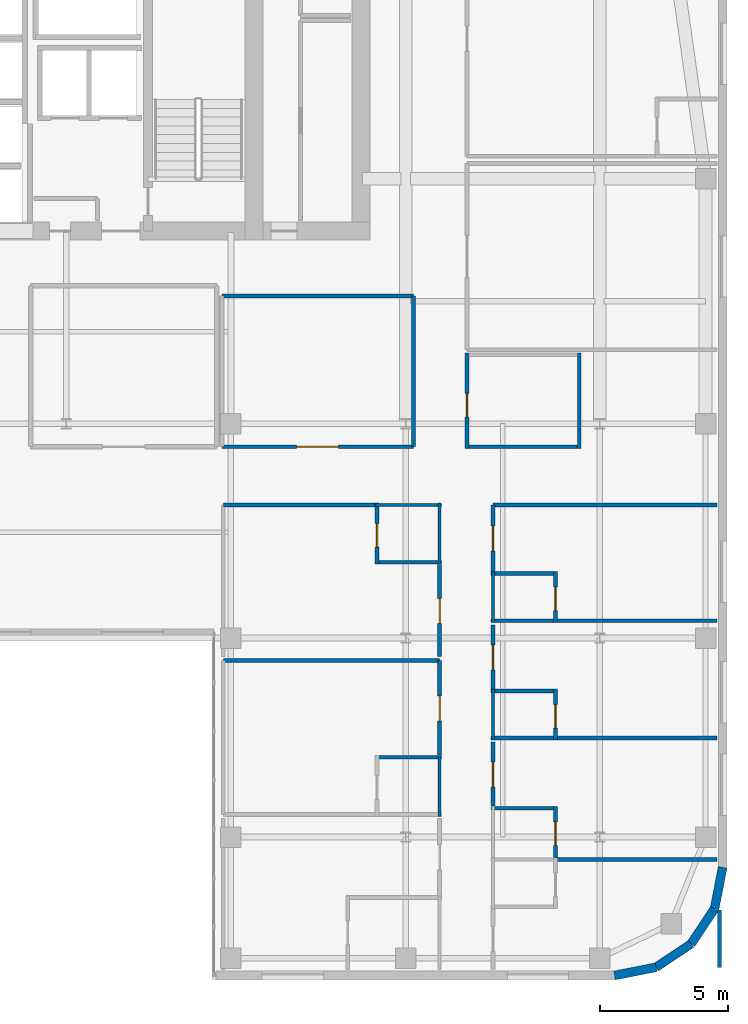
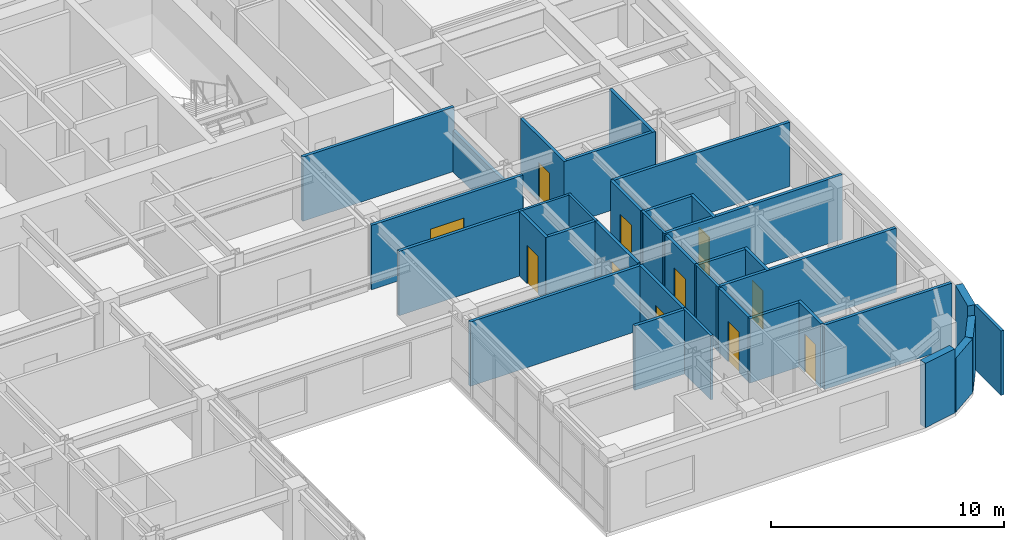
# One storey, part 20 of 24: 36 walls, 11 doors, 11 openings.
"""IFC4 building model written with IfcOpenShell, lengths in metres."""

from ifc_helpers import new_model, si_unit, direction, frame, frame_2d, origin, place, context, subcontext, project, spatial, rectangle, extrude, source, transform, mapped, material, layer, layer_set, type_object, type_shapes, element, fill, save


model = new_model("IFC4")

# Units and contexts
model_context = context("Model", 3, precision=1e-05, world=origin(), true_north=direction((0.0, 1.0)))
body_context = subcontext(model_context, "Body", "Model", "MODEL_VIEW")
ifc_project = project(units=[si_unit("LENGTHUNIT", "METRE"), si_unit("AREAUNIT", "SQUARE_METRE"), si_unit("VOLUMEUNIT", "CUBIC_METRE"), si_unit("PLANEANGLEUNIT", "RADIAN"), si_unit("MASSUNIT", "GRAM", prefix="KILO")], contexts=[model_context])

# Site, building, storey
site_placement = place(None, origin())
site = spatial("IfcSite", under=ifc_project, at=site_placement, CompositionType="ELEMENT")
building_placement = place(site_placement, origin())
building = spatial("IfcBuilding", under=site, at=building_placement, Name="Tolvann Quenvar Hotel", CompositionType="ELEMENT")
storey_placement = place(building_placement, frame((0.0, 0.0, 157.699951171875)))
storey = spatial("IfcBuildingStorey", under=building, at=storey_placement, Name="L41", CompositionType="ELEMENT", Elevation=157.699951171875)

# Walls
ifc_material_1 = material(Name="Kiln-fired red and buff architectural clay brickwork and terracotta masonry", Category="masonry")
ifc_layer_1 = layer(ifc_material_1, 0.35009765625)
ifc_layer_set_1 = layer_set([ifc_layer_1], Name="Kiln-fired red and buff architectural clay brickwork and terracotta masonry")
wall_type_1 = type_object("IfcWallType", Name="WALL_EXT_BRICK_350", PredefinedType="SOLIDWALL", material=ifc_layer_set_1)
wall_1_placement = place(storey_placement, frame((49.98291015625, 2.77490234375, 0.0), z_axis=(0.0, 0.0, 1.0), x_axis=(0.980788844421, 0.195072403631, 0.0)))
element("IfcWall", 1, at=wall_1_placement, inside=storey, type_object=wall_type_1, Name="Exterior Chicago Brick Wall L41-E09", PredefinedType="SOLIDWALL", context=body_context, shape_type="SweptSolid", body=[
    extrude(rectangle(XDim=1.66455078125, YDim=0.35009765625, at=frame_2d((0.832275390625, 0.0))), origin(), (0.0, 0.0, 1.0), 3.3701171875),
])
for number, where, z_axis, x_axis, name in (
    (2, (51.615478515625, 3.099609375, 0.0), (0.0, 0.0, 1.0), (0.831434158098, 0.555623290322, 0.0), "Exterior Chicago Brick Wall L41-E10"),
    (3, (52.985107421875, 4.014892578125, 0.0), (0.0, 0.0, 1.0), (0.555623290322, 0.831434158098, 0.0), "Exterior Chicago Brick Wall L41-E11"),
):
    element("IfcWall", number, at=place(storey_placement, frame(where, z_axis=z_axis, x_axis=x_axis)), inside=storey, type_object=wall_type_1, Name=name, PredefinedType="SOLIDWALL", context=body_context, shape_type="SweptSolid", body=[
        extrude(rectangle(XDim=1.647216796875, YDim=0.35009765625, at=frame_2d((0.82373046875, 0.0))), origin(), (0.0, 0.0, 1.0), 2.83203125),
    ])
wall_2_placement = place(storey_placement, frame((53.900390625, 5.384521484375, 0.0), z_axis=(0.0, 0.0, 1.0), x_axis=(0.195072403631, 0.980788844421, 0.0)))
element("IfcWall", 4, at=wall_2_placement, inside=storey, type_object=wall_type_1, Name="Exterior Chicago Brick Wall L41-E12", PredefinedType="SOLIDWALL", context=body_context, shape_type="SweptSolid", body=[
    extrude(rectangle(XDim=1.66455078125, YDim=0.35009765625, at=frame_2d((0.832275390625, 0.0))), origin(), (0.0, 0.0, 1.0), 3.3701171875),
])
ifc_material_2 = material(Name="Moisture-resistant acoustic plumbing wall assembly")
ifc_layer_2 = layer(ifc_material_2, 0.1201171875)
ifc_layer_set_2 = layer_set([ifc_layer_2], Name="Moisture-resistant acoustic plumbing wall assembly")
wall_type_2 = type_object("IfcWallType", Name="WALL_PART_BATH_120", PredefinedType="PLUMBINGWALL", material=ifc_layer_set_2)
wall_3_placement = place(storey_placement, frame((43.1298828125, 9.010009765625, 0.0), z_axis=(0.0, 0.0, 1.0), x_axis=(0.0, 1.0, 0.0)))
element("IfcWall", 5, at=wall_3_placement, inside=storey, type_object=wall_type_2, Name="Non-Rated Plumbing Partition PT-SPC-L41-ENS-EI02-E", PredefinedType="PLUMBINGWALL", context=body_context, shape_type="SweptSolid", body=[
    extrude(rectangle(XDim=2.389892578125, YDim=0.1201171875, at=frame_2d((1.19482421875, 0.0))), origin(), (0.0, 0.0, 1.0), 3.3701171875),
])
wall_4_placement = place(storey_placement, frame((40.610107421875, 21.219970703125, 0.0), z_axis=(0.0, 0.0, 1.0), x_axis=(1.0, 0.0, 0.0)))
element("IfcWall", 6, at=wall_4_placement, inside=storey, type_object=wall_type_2, Name="Non-Rated Plumbing Partition PT-SPC-L41-ENS-EI03-N", PredefinedType="PLUMBINGWALL", context=body_context, shape_type="SweptSolid", body=[
    extrude(rectangle(XDim=2.58984375, YDim=0.1201171875, at=frame_2d((1.294921875, 0.0))), origin(), (0.0, 0.0, 1.0), 3.3701171875),
])
wall_5_placement = place(storey_placement, frame((43.1298828125, 18.89990234375, 0.0), z_axis=(0.0, 0.0, 1.0), x_axis=(0.0, 1.0, 0.0)))
element("IfcWall", 7, at=wall_5_placement, inside=storey, type_object=wall_type_2, Name="Non-Rated Plumbing Partition PT-SPC-L41-ENS-EI03-E", PredefinedType="PLUMBINGWALL", context=body_context, shape_type="SweptSolid", body=[
    extrude(rectangle(XDim=2.39013671875, YDim=0.1201171875, at=frame_2d((1.195068359375, 0.0))), origin(), (0.0, 0.0, 1.0), 3.3701171875),
])
for number, where, z_axis, x_axis, name in (
    (8, (45.219970703125, 12.010009765625, 0.0), (0.0, 0.0, 1.0), (0.0, 1.0, 0.0), "Non-Rated Plumbing Partition PT-SPC-L41-ENS-EO03-W"),
    (9, (45.219970703125, 16.610107421875, 0.0), (0.0, 0.0, 1.0), (0.0, 1.0, 0.0), "Non-Rated Plumbing Partition PT-SPC-L41-ENS-EO04-W"),
):
    element("IfcWall", number, at=place(storey_placement, frame(where, z_axis=z_axis, x_axis=x_axis)), inside=storey, type_object=wall_type_2, Name=name, PredefinedType="PLUMBINGWALL", context=body_context, shape_type="SweptSolid", body=[
        extrude(rectangle(XDim=1.989990234375, YDim=0.1201171875, at=frame_2d((0.9951171875, 0.0))), origin(), (0.0, 0.0, 1.0), 3.3701171875),
    ])
ifc_material_3 = material(Name="Acoustic twin-stud fire-rated gypsum plasterboard partition")
ifc_layer_3 = layer(ifc_material_3, 0.14990234375)
ifc_layer_set_3 = layer_set([ifc_layer_3], Name="Acoustic twin-stud fire-rated gypsum plasterboard partition")
wall_type_3 = type_object("IfcWallType", Name="WALL_PART_SUITE_150", PredefinedType="PARTITIONING", material=ifc_layer_set_3)
wall_6_placement = place(storey_placement, frame((40.610107421875, 11.330078125, 0.0), z_axis=(0.0, 0.0, 1.0), x_axis=(1.0, 0.0, 0.0)))
element("IfcWall", 10, at=wall_6_placement, inside=storey, type_object=wall_type_3, Name="Interior Partition PT-SPC-L41-ENS-EI02-N", PredefinedType="PARTITIONING", context=body_context, shape_type="SweptSolid", body=[
    extrude(rectangle(XDim=2.58984375, YDim=0.14990234375, at=frame_2d((1.294921875, 0.0))), origin(), (0.0, 0.0, 1.0), 3.3701171875),
])

# Wall, opening, door
wall_7_placement = place(storey_placement, frame((40.679931640625, 18.89990234375, 0.0), z_axis=(0.0, 0.0, 1.0), x_axis=(0.0, 1.0, 0.0)))
wall_7 = element("IfcWall", 11, at=wall_7_placement, inside=storey, type_object=wall_type_3, Name="Interior Partition PT-SPC-L41-ENS-EI03-ENT", PredefinedType="PARTITIONING", context=body_context, shape_type="SweptSolid", body=[
    extrude(rectangle(XDim=2.39013671875, YDim=0.14990234375, at=frame_2d((1.195068359375, 0.0))), origin(), (0.0, 0.0, 1.0), 3.3701171875),
])
opening_1_placement = place(wall_7_placement, frame((0.6650390625, 0.0, 0.0)))
opening_1 = element("IfcOpeningElement", 12, at=opening_1_placement, cuts=wall_7, Name="Opening WD-01", PredefinedType="OPENING", context=body_context, shape_type="SweptSolid", body=[
    extrude(rectangle(XDim=0.919921875, YDim=2.010009765625, at=frame_2d((0.4599609375, 1.0048828125))), frame((0.0, 0.0849609375, 0.0), z_axis=(0.0, -1.0, 0.0), x_axis=(1.0, 0.0, 0.0)), (0.0, 0.0, 1.0), 0.169921875),
])
ifc_material_4 = material(Name="Solid-core American oak acoustic fire door leaf in steel frame", Category="steel")
door_type_1 = type_object("IfcDoorType", Name="DOOR_WC_920", OperationType="NOTDEFINED", PredefinedType="DOOR", material=ifc_material_4)
shared_shape_1 = source(origin(), body_context, "Body", "SweptSolid", [
    extrude(rectangle(XDim=0.919921875, YDim=2.010009765625, at=frame_2d((0.4599609375, 1.0048828125))), frame((0.0, 0.02490234375, 0.0), z_axis=(0.0, -1.0, 0.0), x_axis=(1.0, 0.0, 0.0)), (0.0, 0.0, 1.0), 0.050048828125),
])
type_shapes(door_type_1, [shared_shape_1])
door_1_placement = place(opening_1_placement, origin())
door_1 = element("IfcDoor", 13, at=door_1_placement, inside=storey, type_object=door_type_1, Name="Interior Door DOOR-SPC-L41-ENS-EI03", OperationType="SINGLE_SWING_LEFT", OverallHeight=2.010009765625, OverallWidth=0.919921875, PredefinedType="DOOR", context=body_context, shape_type="MappedRepresentation", body=[
    mapped(shared_shape_1, transform((0.0, 0.0, 0.0), x_axis=(1.0, 0.0, 0.0), y_axis=(0.0, 1.0, 0.0), z_axis=(0.0, 0.0, 1.0), scale=1.0)),
])
fill(opening_1, door_1)

# Wall
wall_8_placement = place(storey_placement, frame((40.610107421875, 18.969970703125, 0.0), z_axis=(0.0, 0.0, 1.0), x_axis=(1.0, 0.0, 0.0)))
element("IfcWall", 14, at=wall_8_placement, inside=storey, type_object=wall_type_3, Name="Interior Partition PT-SPC-L41-ENS-EI03-S", PredefinedType="PARTITIONING", context=body_context, shape_type="SweptSolid", body=[
    extrude(rectangle(XDim=2.58984375, YDim=0.14990234375, at=frame_2d((1.294921875, 0.0))), origin(), (0.0, 0.0, 1.0), 3.3701171875),
])

# Wall, opening, door
wall_9_placement = place(storey_placement, frame((47.669921875, 7.409912109375, 0.0), z_axis=(0.0, 0.0, 1.0), x_axis=(0.0, 1.0, 0.0)))
wall_9 = element("IfcWall", 15, at=wall_9_placement, inside=storey, type_object=wall_type_3, Name="Interior Partition PT-SPC-L41-ENS-EO02-ENT", PredefinedType="PARTITIONING", context=body_context, shape_type="SweptSolid", body=[
    extrude(rectangle(XDim=1.989990234375, YDim=0.14990234375, at=frame_2d((0.9951171875, 0.0))), origin(), (0.0, 0.0, 1.0), 3.3701171875),
])
opening_2_placement = place(wall_9_placement, frame((0.465087890625, 0.0, 0.0)))
opening_2 = element("IfcOpeningElement", 16, at=opening_2_placement, cuts=wall_9, Name="Opening WD-01", PredefinedType="OPENING", context=body_context, shape_type="SweptSolid", body=[
    extrude(rectangle(XDim=0.919921875, YDim=2.010009765625, at=frame_2d((0.4599609375, 1.0048828125))), frame((0.0, 0.0849609375, 0.0), z_axis=(0.0, -1.0, 0.0), x_axis=(1.0, 0.0, 0.0)), (0.0, 0.0, 1.0), 0.169921875),
])
door_2_placement = place(opening_2_placement, origin())
door_2 = element("IfcDoor", 17, at=door_2_placement, inside=storey, type_object=door_type_1, Name="Interior Door DOOR-SPC-L41-ENS-EO02", OperationType="SINGLE_SWING_LEFT", OverallHeight=2.010009765625, OverallWidth=0.919921875, PredefinedType="DOOR", context=body_context, shape_type="MappedRepresentation", body=[
    mapped(shared_shape_1, transform((0.0, 0.0, 0.0), x_axis=(1.0, 0.0, 0.0), y_axis=(0.0, 1.0, 0.0), z_axis=(0.0, 0.0, 1.0), scale=1.0)),
])
fill(opening_2, door_2)

# Wall
wall_10_placement = place(storey_placement, frame((45.14990234375, 9.330078125, 0.0), z_axis=(0.0, 0.0, 1.0), x_axis=(1.0, 0.0, 0.0)))
element("IfcWall", 18, at=wall_10_placement, inside=storey, type_object=wall_type_3, Name="Interior Partition PT-SPC-L41-ENS-EO02-N", PredefinedType="PARTITIONING", context=body_context, shape_type="SweptSolid", body=[
    extrude(rectangle(XDim=2.590087890625, YDim=0.14990234375, at=frame_2d((1.294921875, 0.0))), origin(), (0.0, 0.0, 1.0), 3.3701171875),
])

# Wall, opening, door
wall_11_placement = place(storey_placement, frame((47.669921875, 12.010009765625, 0.0), z_axis=(0.0, 0.0, 1.0), x_axis=(0.0, 1.0, 0.0)))
wall_11 = element("IfcWall", 19, at=wall_11_placement, inside=storey, type_object=wall_type_3, Name="Interior Partition PT-SPC-L41-ENS-EO03-ENT", PredefinedType="PARTITIONING", context=body_context, shape_type="SweptSolid", body=[
    extrude(rectangle(XDim=1.989990234375, YDim=0.14990234375, at=frame_2d((0.9951171875, 0.0))), origin(), (0.0, 0.0, 1.0), 3.3701171875),
])
opening_3_placement = place(wall_11_placement, frame((0.465087890625, 0.0, 0.0)))
opening_3 = element("IfcOpeningElement", 20, at=opening_3_placement, cuts=wall_11, Name="Opening WD-01", PredefinedType="OPENING", context=body_context, shape_type="SweptSolid", body=[
    extrude(rectangle(XDim=0.919921875, YDim=2.010009765625, at=frame_2d((0.4599609375, 1.0048828125))), frame((0.0, 0.0849609375, 0.0), z_axis=(0.0, -1.0, 0.0), x_axis=(1.0, 0.0, 0.0)), (0.0, 0.0, 1.0), 0.169921875),
])
door_3_placement = place(opening_3_placement, origin())
door_3 = element("IfcDoor", 21, at=door_3_placement, inside=storey, type_object=door_type_1, Name="Interior Door DOOR-SPC-L41-ENS-EO03", OperationType="SINGLE_SWING_RIGHT", OverallHeight=2.010009765625, OverallWidth=0.919921875, PredefinedType="DOOR", context=body_context, shape_type="MappedRepresentation", body=[
    mapped(shared_shape_1, transform((0.0, 0.0, 0.0), x_axis=(1.0, 0.0, 0.0), y_axis=(0.0, 1.0, 0.0), z_axis=(0.0, 0.0, 1.0), scale=1.0)),
])
fill(opening_3, door_3)

# Walls
wall_12_placement = place(storey_placement, frame((45.14990234375, 12.080078125, 0.0), z_axis=(0.0, 0.0, 1.0), x_axis=(1.0, 0.0, 0.0)))
element("IfcWall", 22, at=wall_12_placement, inside=storey, type_object=wall_type_3, Name="Interior Partition PT-SPC-L41-ENS-EO03-S", PredefinedType="PARTITIONING", context=body_context, shape_type="SweptSolid", body=[
    extrude(rectangle(XDim=8.84521484375, YDim=0.14990234375, at=frame_2d((4.422607421875, 0.0))), origin(), (0.0, 0.0, 1.0), 3.3701171875),
])
wall_13_placement = place(storey_placement, frame((45.14990234375, 13.929931640625, 0.0), z_axis=(0.0, 0.0, 1.0), x_axis=(1.0, 0.0, 0.0)))
element("IfcWall", 23, at=wall_13_placement, inside=storey, type_object=wall_type_3, Name="Interior Partition PT-SPC-L41-ENS-EO03-N", PredefinedType="PARTITIONING", context=body_context, shape_type="SweptSolid", body=[
    extrude(rectangle(XDim=2.590087890625, YDim=0.14990234375, at=frame_2d((1.294921875, 0.0))), origin(), (0.0, 0.0, 1.0), 3.3701171875),
])

# Wall, opening, door
wall_14_placement = place(storey_placement, frame((47.669921875, 16.610107421875, 0.0), z_axis=(0.0, 0.0, 1.0), x_axis=(0.0, 1.0, 0.0)))
wall_14 = element("IfcWall", 24, at=wall_14_placement, inside=storey, type_object=wall_type_3, Name="Interior Partition PT-SPC-L41-ENS-EO04-ENT", PredefinedType="PARTITIONING", context=body_context, shape_type="SweptSolid", body=[
    extrude(rectangle(XDim=1.989990234375, YDim=0.14990234375, at=frame_2d((0.9951171875, 0.0))), origin(), (0.0, 0.0, 1.0), 3.3701171875),
])
opening_4_placement = place(wall_14_placement, frame((0.465087890625, 0.0, 0.0)))
opening_4 = element("IfcOpeningElement", 25, at=opening_4_placement, cuts=wall_14, Name="Opening WD-01", PredefinedType="OPENING", context=body_context, shape_type="SweptSolid", body=[
    extrude(rectangle(XDim=0.919921875, YDim=2.010009765625, at=frame_2d((0.4599609375, 1.0048828125))), frame((0.0, 0.0849609375, 0.0), z_axis=(0.0, -1.0, 0.0), x_axis=(1.0, 0.0, 0.0)), (0.0, 0.0, 1.0), 0.169921875),
])
door_4_placement = place(opening_4_placement, origin())
door_4 = element("IfcDoor", 26, at=door_4_placement, inside=storey, type_object=door_type_1, Name="Interior Door DOOR-SPC-L41-ENS-EO04", OperationType="SINGLE_SWING_LEFT", OverallHeight=2.010009765625, OverallWidth=0.919921875, PredefinedType="DOOR", context=body_context, shape_type="MappedRepresentation", body=[
    mapped(shared_shape_1, transform((0.0, 0.0, 0.0), x_axis=(1.0, 0.0, 0.0), y_axis=(0.0, 1.0, 0.0), z_axis=(0.0, 0.0, 1.0), scale=1.0)),
])
fill(opening_4, door_4)

# Walls
wall_15_placement = place(storey_placement, frame((45.14990234375, 16.679931640625, 0.0), z_axis=(0.0, 0.0, 1.0), x_axis=(1.0, 0.0, 0.0)))
element("IfcWall", 27, at=wall_15_placement, inside=storey, type_object=wall_type_3, Name="Interior Partition PT-SPC-L41-ENS-EO04-S", PredefinedType="PARTITIONING", context=body_context, shape_type="SweptSolid", body=[
    extrude(rectangle(XDim=8.84521484375, YDim=0.14990234375, at=frame_2d((4.422607421875, 0.0))), origin(), (0.0, 0.0, 1.0), 3.3701171875),
])
wall_16_placement = place(storey_placement, frame((45.14990234375, 18.530029296875, 0.0), z_axis=(0.0, 0.0, 1.0), x_axis=(1.0, 0.0, 0.0)))
element("IfcWall", 28, at=wall_16_placement, inside=storey, type_object=wall_type_3, Name="Interior Partition PT-SPC-L41-ENS-EO04-N", PredefinedType="PARTITIONING", context=body_context, shape_type="SweptSolid", body=[
    extrude(rectangle(XDim=2.590087890625, YDim=0.14990234375, at=frame_2d((1.294921875, 0.0))), origin(), (0.0, 0.0, 1.0), 3.3701171875),
])

# Wall, opening, door
wall_17_placement = place(storey_placement, frame((43.1298828125, 11.409912109375, 0.0), z_axis=(0.0, 0.0, 1.0), x_axis=(0.0, 1.0, 0.0)))
wall_17 = element("IfcWall", 29, at=wall_17_placement, inside=storey, type_object=wall_type_3, Name="Interior Partition PT-SPC-L41-RM-EI02-ENT", PredefinedType="PARTITIONING", context=body_context, shape_type="SweptSolid", body=[
    extrude(rectangle(XDim=3.710205078125, YDim=0.14990234375, at=frame_2d((1.85498046875, 0.0))), origin(), (0.0, 0.0, 1.0), 3.3701171875),
])
opening_5_placement = place(wall_17_placement, frame((1.344970703125, 0.0, 0.0)))
opening_5 = element("IfcOpeningElement", 30, at=opening_5_placement, cuts=wall_17, Name="Opening SD-01", PredefinedType="OPENING", context=body_context, shape_type="SweptSolid", body=[
    extrude(rectangle(XDim=0.97998046875, YDim=2.1201171875, at=frame_2d((0.489990234375, 1.06005859375))), frame((0.0, 0.0849609375, 0.0), z_axis=(0.0, -1.0, 0.0), x_axis=(1.0, 0.0, 0.0)), (0.0, 0.0, 1.0), 0.169921875),
])
door_type_2 = type_object("IfcDoorType", Name="DOOR_SUITE_980", OperationType="NOTDEFINED", PredefinedType="DOOR", material=ifc_material_4)
shared_shape_2 = source(origin(), body_context, "Body", "SweptSolid", [
    extrude(rectangle(XDim=0.97998046875, YDim=2.1201171875, at=frame_2d((0.489990234375, 1.06005859375))), frame((0.0, 0.02490234375, 0.0), z_axis=(0.0, -1.0, 0.0), x_axis=(1.0, 0.0, 0.0)), (0.0, 0.0, 1.0), 0.050048828125),
])
type_shapes(door_type_2, [shared_shape_2])
door_5_placement = place(opening_5_placement, origin())
door_5 = element("IfcDoor", 31, at=door_5_placement, inside=storey, type_object=door_type_2, Name="Interior Door DOOR-SPC-L41-RM-EI02", OperationType="SINGLE_SWING_RIGHT", OverallHeight=2.1201171875, OverallWidth=0.97998046875, PredefinedType="DOOR", context=body_context, shape_type="MappedRepresentation", body=[
    mapped(shared_shape_2, transform((0.0, 0.0, 0.0), x_axis=(1.0, 0.0, 0.0), y_axis=(0.0, 1.0, 0.0), z_axis=(0.0, 0.0, 1.0), scale=1.0)),
])
fill(opening_5, door_5)

# Wall
wall_18_placement = place(storey_placement, frame((34.64990234375, 15.1201171875, 0.0), z_axis=(0.0, 0.0, 1.0), x_axis=(1.0, 0.0, 0.0)))
element("IfcWall", 32, at=wall_18_placement, inside=storey, type_object=wall_type_3, Name="Interior Partition PT-SPC-L41-RM-EI02-E5", PredefinedType="PARTITIONING", context=body_context, shape_type="SweptSolid", body=[
    extrude(rectangle(XDim=8.47998046875, YDim=0.14990234375, at=frame_2d((4.239990234375, 0.0))), origin(), (0.0, 0.0, 1.0), 3.3701171875),
])

# Wall, opening, door
wall_19_placement = place(storey_placement, frame((43.1298828125, 15.280029296875, 0.0), z_axis=(0.0, 0.0, 1.0), x_axis=(0.0, 1.0, 0.0)))
wall_19 = element("IfcWall", 33, at=wall_19_placement, inside=storey, type_object=wall_type_3, Name="Interior Partition PT-SPC-L41-RM-EI03-ENT", PredefinedType="PARTITIONING", context=body_context, shape_type="SweptSolid", body=[
    extrude(rectangle(XDim=3.60986328125, YDim=0.14990234375, at=frame_2d((1.804931640625, 0.0))), origin(), (0.0, 0.0, 1.0), 3.3701171875),
])
opening_6_placement = place(wall_19_placement, frame((1.294921875, 0.0, 0.0)))
opening_6 = element("IfcOpeningElement", 34, at=opening_6_placement, cuts=wall_19, Name="Opening SD-01", PredefinedType="OPENING", context=body_context, shape_type="SweptSolid", body=[
    extrude(rectangle(XDim=0.97998046875, YDim=2.1201171875, at=frame_2d((0.489990234375, 1.06005859375))), frame((0.0, 0.0849609375, 0.0), z_axis=(0.0, -1.0, 0.0), x_axis=(1.0, 0.0, 0.0)), (0.0, 0.0, 1.0), 0.169921875),
])
door_6_placement = place(opening_6_placement, origin())
door_6 = element("IfcDoor", 35, at=door_6_placement, inside=storey, type_object=door_type_2, Name="Interior Door DOOR-SPC-L41-RM-EI03", OperationType="SINGLE_SWING_LEFT", OverallHeight=2.1201171875, OverallWidth=0.97998046875, PredefinedType="DOOR", context=body_context, shape_type="MappedRepresentation", body=[
    mapped(shared_shape_2, transform((0.0, 0.0, 0.0), x_axis=(1.0, 0.0, 0.0), y_axis=(0.0, 1.0, 0.0), z_axis=(0.0, 0.0, 1.0), scale=1.0)),
])
fill(opening_6, door_6)

# Walls
wall_20_placement = place(storey_placement, frame((34.64990234375, 21.219970703125, 0.0), z_axis=(0.0, 0.0, 1.0), x_axis=(1.0, 0.0, 0.0)))
element("IfcWall", 36, at=wall_20_placement, inside=storey, type_object=wall_type_3, Name="Interior Partition PT-SPC-L41-RM-EI03-E5", PredefinedType="PARTITIONING", context=body_context, shape_type="SweptSolid", body=[
    extrude(rectangle(XDim=6.010009765625, YDim=0.14990234375, at=frame_2d((3.0048828125, 0.0))), origin(), (0.0, 0.0, 1.0), 3.3701171875),
])
wall_21_placement = place(storey_placement, frame((54.10009765625, 3.080078125, 0.0), z_axis=(0.0, 0.0, 1.0), x_axis=(0.0, 1.0, 0.0)))
element("IfcWall", 37, at=wall_21_placement, inside=storey, type_object=wall_type_3, Name="Interior Partition PT-SPC-L41-RM-EO01-E2", PredefinedType="PARTITIONING", context=body_context, shape_type="SweptSolid", body=[
    extrude(rectangle(XDim=2.264892578125, YDim=0.14990234375, at=frame_2d((1.13232421875, 0.0))), origin(), (0.0, 0.0, 1.0), 3.3701171875),
])
wall_22_placement = place(storey_placement, frame((47.68994140625, 7.320068359375, 0.0), z_axis=(0.0, 0.0, 1.0), x_axis=(1.0, 0.0, 0.0)))
element("IfcWall", 38, at=wall_22_placement, inside=storey, type_object=wall_type_3, Name="Interior Partition PT-SPC-L41-RM-EO01-E3", PredefinedType="PARTITIONING", context=body_context, shape_type="SweptSolid", body=[
    extrude(rectangle(XDim=6.30517578125, YDim=0.14990234375, at=frame_2d((3.152587890625, 0.0))), origin(), (0.0, 0.0, 1.0), 3.3701171875),
])

# Wall, opening, door
wall_23_placement = place(storey_placement, frame((45.219970703125, 9.409912109375, 0.0), z_axis=(0.0, 0.0, 1.0), x_axis=(0.0, 1.0, 0.0)))
wall_23 = element("IfcWall", 39, at=wall_23_placement, inside=storey, type_object=wall_type_3, Name="Interior Partition PT-SPC-L41-RM-EO02-ENT", PredefinedType="PARTITIONING", context=body_context, shape_type="SweptSolid", body=[
    extrude(rectangle(XDim=2.510009765625, YDim=0.14990234375, at=frame_2d((1.2548828125, 0.0))), origin(), (0.0, 0.0, 1.0), 3.3701171875),
])
opening_7_placement = place(wall_23_placement, frame((0.7451171875, 0.0, 0.0)))
opening_7 = element("IfcOpeningElement", 40, at=opening_7_placement, cuts=wall_23, Name="Opening SD-01", PredefinedType="OPENING", context=body_context, shape_type="SweptSolid", body=[
    extrude(rectangle(XDim=0.97998046875, YDim=2.1201171875, at=frame_2d((0.489990234375, 1.06005859375))), frame((0.0, 0.0849609375, 0.0), z_axis=(0.0, -1.0, 0.0), x_axis=(1.0, 0.0, 0.0)), (0.0, 0.0, 1.0), 0.169921875),
])
door_7_placement = place(opening_7_placement, origin())
door_7 = element("IfcDoor", 41, at=door_7_placement, inside=storey, type_object=door_type_2, Name="Interior Door DOOR-SPC-L41-RM-EO02", OperationType="SINGLE_SWING_LEFT", OverallHeight=2.1201171875, OverallWidth=0.97998046875, PredefinedType="DOOR", context=body_context, shape_type="MappedRepresentation", body=[
    mapped(shared_shape_2, transform((0.0, 0.0, 0.0), x_axis=(1.0, 0.0, 0.0), y_axis=(0.0, 1.0, 0.0), z_axis=(0.0, 0.0, 1.0), scale=1.0)),
])
fill(opening_7, door_7)

wall_24_placement = place(storey_placement, frame((45.219970703125, 14.010009765625, 0.0), z_axis=(0.0, 0.0, 1.0), x_axis=(0.0, 1.0, 0.0)))
wall_24 = element("IfcWall", 42, at=wall_24_placement, inside=storey, type_object=wall_type_3, Name="Interior Partition PT-SPC-L41-RM-EO03-ENT", PredefinedType="PARTITIONING", context=body_context, shape_type="SweptSolid", body=[
    extrude(rectangle(XDim=2.510009765625, YDim=0.14990234375, at=frame_2d((1.2548828125, 0.0))), origin(), (0.0, 0.0, 1.0), 3.3701171875),
])
opening_8_placement = place(wall_24_placement, frame((0.7451171875, 0.0, 0.0)))
opening_8 = element("IfcOpeningElement", 43, at=opening_8_placement, cuts=wall_24, Name="Opening SD-01", PredefinedType="OPENING", context=body_context, shape_type="SweptSolid", body=[
    extrude(rectangle(XDim=0.97998046875, YDim=2.1201171875, at=frame_2d((0.489990234375, 1.06005859375))), frame((0.0, 0.0849609375, 0.0), z_axis=(0.0, -1.0, 0.0), x_axis=(1.0, 0.0, 0.0)), (0.0, 0.0, 1.0), 0.169921875),
])
door_8_placement = place(opening_8_placement, origin())
door_8 = element("IfcDoor", 44, at=door_8_placement, inside=storey, type_object=door_type_2, Name="Interior Door DOOR-SPC-L41-RM-EO03", OperationType="SINGLE_SWING_RIGHT", OverallHeight=2.1201171875, OverallWidth=0.97998046875, PredefinedType="DOOR", context=body_context, shape_type="MappedRepresentation", body=[
    mapped(shared_shape_2, transform((0.0, 0.0, 0.0), x_axis=(1.0, 0.0, 0.0), y_axis=(0.0, 1.0, 0.0), z_axis=(0.0, 0.0, 1.0), scale=1.0)),
])
fill(opening_8, door_8)

wall_25_placement = place(storey_placement, frame((45.219970703125, 18.610107421875, 0.0), z_axis=(0.0, 0.0, 1.0), x_axis=(0.0, 1.0, 0.0)))
wall_25 = element("IfcWall", 45, at=wall_25_placement, inside=storey, type_object=wall_type_3, Name="Interior Partition PT-SPC-L41-RM-EO04-ENT", PredefinedType="PARTITIONING", context=body_context, shape_type="SweptSolid", body=[
    extrude(rectangle(XDim=2.60986328125, YDim=0.14990234375, at=frame_2d((1.304931640625, 0.0))), origin(), (0.0, 0.0, 1.0), 3.3701171875),
])
opening_9_placement = place(wall_25_placement, frame((0.794921875, 0.0, 0.0)))
opening_9 = element("IfcOpeningElement", 46, at=opening_9_placement, cuts=wall_25, Name="Opening SD-01", PredefinedType="OPENING", context=body_context, shape_type="SweptSolid", body=[
    extrude(rectangle(XDim=0.97998046875, YDim=2.1201171875, at=frame_2d((0.489990234375, 1.06005859375))), frame((0.0, 0.0849609375, 0.0), z_axis=(0.0, -1.0, 0.0), x_axis=(1.0, 0.0, 0.0)), (0.0, 0.0, 1.0), 0.169921875),
])
door_9_placement = place(opening_9_placement, origin())
door_9 = element("IfcDoor", 47, at=door_9_placement, inside=storey, type_object=door_type_2, Name="Interior Door DOOR-SPC-L41-RM-EO04", OperationType="SINGLE_SWING_LEFT", OverallHeight=2.1201171875, OverallWidth=0.97998046875, PredefinedType="DOOR", context=body_context, shape_type="MappedRepresentation", body=[
    mapped(shared_shape_2, transform((0.0, 0.0, 0.0), x_axis=(1.0, 0.0, 0.0), y_axis=(0.0, 1.0, 0.0), z_axis=(0.0, 0.0, 1.0), scale=1.0)),
])
fill(opening_9, door_9)

# Wall
wall_26_placement = place(storey_placement, frame((45.219970703125, 21.219970703125, 0.0), z_axis=(0.0, 0.0, 1.0), x_axis=(1.0, 0.0, 0.0)))
element("IfcWall", 48, at=wall_26_placement, inside=storey, type_object=wall_type_3, Name="Interior Partition PT-SPC-L41-RM-EO04-E5", PredefinedType="PARTITIONING", context=body_context, shape_type="SweptSolid", body=[
    extrude(rectangle(XDim=8.775146484375, YDim=0.14990234375, at=frame_2d((4.3876953125, 0.0))), origin(), (0.0, 0.0, 1.0), 3.3701171875),
])

# Wall, opening, door
wall_27_placement = place(storey_placement, frame((44.199951171875, 23.429931640625, 0.0), z_axis=(0.0, 0.0, 1.0), x_axis=(0.0, 1.0, 0.0)))
wall_27 = element("IfcWall", 49, at=wall_27_placement, inside=storey, type_object=wall_type_3, Name="Interior Partition PT-SPC-L41-WCA-ENT", PredefinedType="PARTITIONING", context=body_context, shape_type="SweptSolid", body=[
    extrude(rectangle(XDim=3.739990234375, YDim=0.14990234375, at=frame_2d((1.8701171875, 0.0))), origin(), (0.0, 0.0, 1.0), 3.3701171875),
])
opening_10_placement = place(wall_27_placement, frame((1.239990234375, 0.0, 0.0)))
opening_10 = element("IfcOpeningElement", 50, at=opening_10_placement, cuts=wall_27, Name="Opening WD-01", PredefinedType="OPENING", context=body_context, shape_type="SweptSolid", body=[
    extrude(rectangle(XDim=0.919921875, YDim=2.010009765625, at=frame_2d((0.4599609375, 1.0048828125))), frame((0.0, 0.0849609375, 0.0), z_axis=(0.0, -1.0, 0.0), x_axis=(1.0, 0.0, 0.0)), (0.0, 0.0, 1.0), 0.169921875),
])
door_10_placement = place(opening_10_placement, origin())
door_10 = element("IfcDoor", 51, at=door_10_placement, inside=storey, type_object=door_type_1, Name="Interior Door DOOR-SPC-L41-WCA", OperationType="SINGLE_SWING_RIGHT", OverallHeight=2.010009765625, OverallWidth=0.919921875, PredefinedType="DOOR", context=body_context, shape_type="MappedRepresentation", body=[
    mapped(shared_shape_1, transform((0.0, 0.0, 0.0), x_axis=(1.0, 0.0, 0.0), y_axis=(0.0, 1.0, 0.0), z_axis=(0.0, 0.0, 1.0), scale=1.0)),
])
fill(opening_10, door_10)

# Walls
wall_28_placement = place(storey_placement, frame((44.1298828125, 23.5, 0.0), z_axis=(0.0, 0.0, 1.0), x_axis=(1.0, 0.0, 0.0)))
element("IfcWall", 52, at=wall_28_placement, inside=storey, type_object=wall_type_3, Name="Interior Partition PT-SPC-L41-WCA-S", PredefinedType="PARTITIONING", context=body_context, shape_type="SweptSolid", body=[
    extrude(rectangle(XDim=4.5400390625, YDim=0.14990234375, at=frame_2d((2.27001953125, 0.0))), origin(), (0.0, 0.0, 1.0), 3.3701171875),
])
wall_29_placement = place(storey_placement, frame((48.60009765625, 23.429931640625, 0.0), z_axis=(0.0, 0.0, 1.0), x_axis=(0.0, 1.0, 0.0)))
element("IfcWall", 53, at=wall_29_placement, inside=storey, type_object=wall_type_3, Name="Interior Partition PT-SPC-L41-WCA-E", PredefinedType="PARTITIONING", context=body_context, shape_type="SweptSolid", body=[
    extrude(rectangle(XDim=3.739990234375, YDim=0.14990234375, at=frame_2d((1.8701171875, 0.0))), origin(), (0.0, 0.0, 1.0), 3.3701171875),
])

# Wall, opening, door
wall_30_placement = place(storey_placement, frame((34.60009765625, 23.5, 0.0), z_axis=(0.0, 0.0, 1.0), x_axis=(1.0, 0.0, 0.0)))
wall_30 = element("IfcWall", 54, at=wall_30_placement, inside=storey, type_object=wall_type_3, Name="Interior Partition PT-SPC-L41-MSP-E-S", PredefinedType="PARTITIONING", context=body_context, shape_type="SweptSolid", body=[
    extrude(rectangle(XDim=7.5, YDim=0.14990234375, at=frame_2d((3.75, 0.0))), origin(), (0.0, 0.0, 1.0), 3.3701171875),
])
opening_11_placement = place(wall_30_placement, frame((2.925048828125, 0.0, 0.0)))
opening_11 = element("IfcOpeningElement", 55, at=opening_11_placement, cuts=wall_30, Name="Opening AD-01", PredefinedType="OPENING", context=body_context, shape_type="SweptSolid", body=[
    extrude(rectangle(XDim=1.64990234375, YDim=2.14990234375, at=frame_2d((0.824951171875, 1.074951171875))), frame((0.0, 0.0849609375, 0.0), z_axis=(0.0, -1.0, 0.0), x_axis=(1.0, 0.0, 0.0)), (0.0, 0.0, 1.0), 0.169921875),
])
door_type_3 = type_object("IfcDoorType", Name="DOOR_SALON_1650", OperationType="NOTDEFINED", PredefinedType="DOOR", material=ifc_material_4)
shared_shape_3 = source(origin(), body_context, "Body", "SweptSolid", [
    extrude(rectangle(XDim=1.64990234375, YDim=2.14990234375, at=frame_2d((0.824951171875, 1.074951171875))), frame((0.0, 0.02490234375, 0.0), z_axis=(0.0, -1.0, 0.0), x_axis=(1.0, 0.0, 0.0)), (0.0, 0.0, 1.0), 0.050048828125),
])
type_shapes(door_type_3, [shared_shape_3])
door_11_placement = place(opening_11_placement, origin())
door_11 = element("IfcDoor", 56, at=door_11_placement, inside=storey, type_object=door_type_3, Name="Interior Door DOOR-SPC-L41-MSP-E", OperationType="DOUBLE_DOOR_SINGLE_SWING", OverallHeight=2.14990234375, OverallWidth=1.64990234375, PredefinedType="DOOR", context=body_context, shape_type="MappedRepresentation", body=[
    mapped(shared_shape_3, transform((0.0, 0.0, 0.0), x_axis=(1.0, 0.0, 0.0), y_axis=(0.0, 1.0, 0.0), z_axis=(0.0, 0.0, 1.0), scale=1.0)),
])
fill(opening_11, door_11)

# Walls
wall_31_placement = place(storey_placement, frame((34.60009765625, 29.39990234375, 0.0), z_axis=(0.0, 0.0, 1.0), x_axis=(1.0, 0.0, 0.0)))
element("IfcWall", 57, at=wall_31_placement, inside=storey, type_object=wall_type_3, Name="Interior Partition PT-SPC-L41-MSP-E-N", PredefinedType="PARTITIONING", context=body_context, shape_type="SweptSolid", body=[
    extrude(rectangle(XDim=7.5, YDim=0.14990234375, at=frame_2d((3.75, 0.0))), origin(), (0.0, 0.0, 1.0), 3.3701171875),
])
wall_32_placement = place(storey_placement, frame((42.10009765625, 23.5, 0.0), z_axis=(0.0, 0.0, 1.0), x_axis=(0.0, 1.0, 0.0)))
element("IfcWall", 58, at=wall_32_placement, inside=storey, type_object=wall_type_3, Name="Interior Partition PT-SPC-L41-MSP-E-E", PredefinedType="PARTITIONING", context=body_context, shape_type="SweptSolid", body=[
    extrude(rectangle(XDim=5.89990234375, YDim=0.14990234375, at=frame_2d((2.949951171875, 0.0))), origin(), (0.0, 0.0, 1.0), 2.16015625),
])

save(model, "model.ifc")
